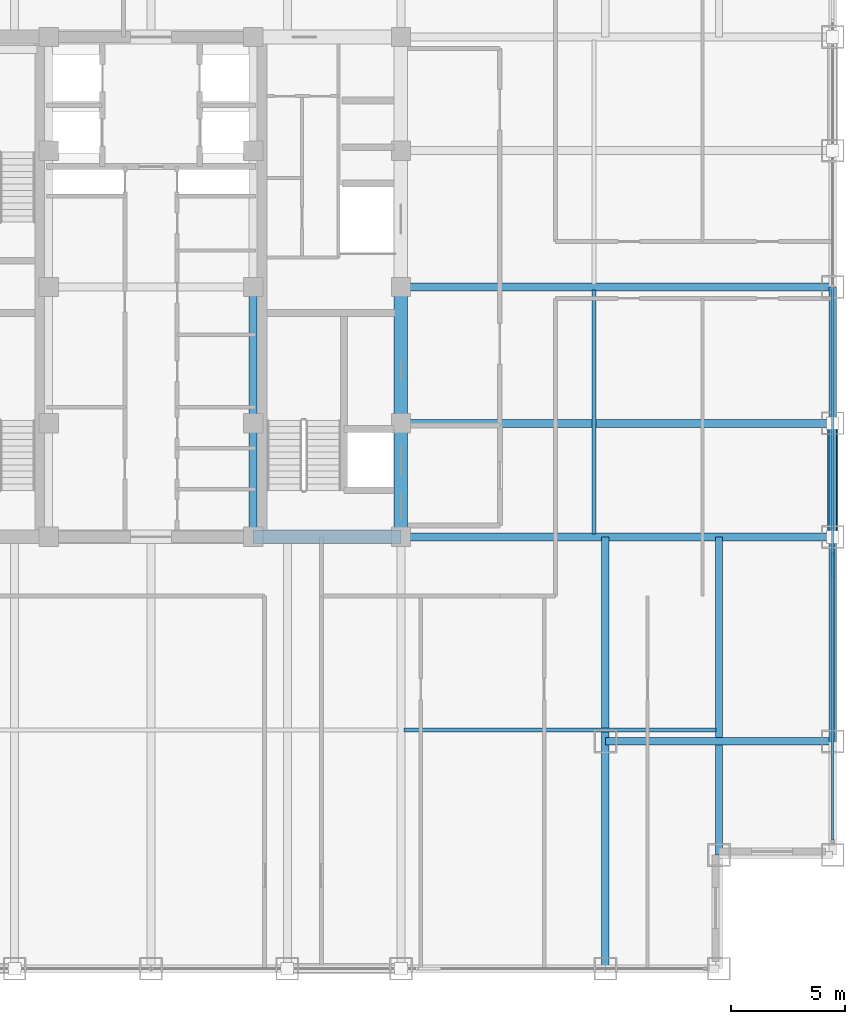
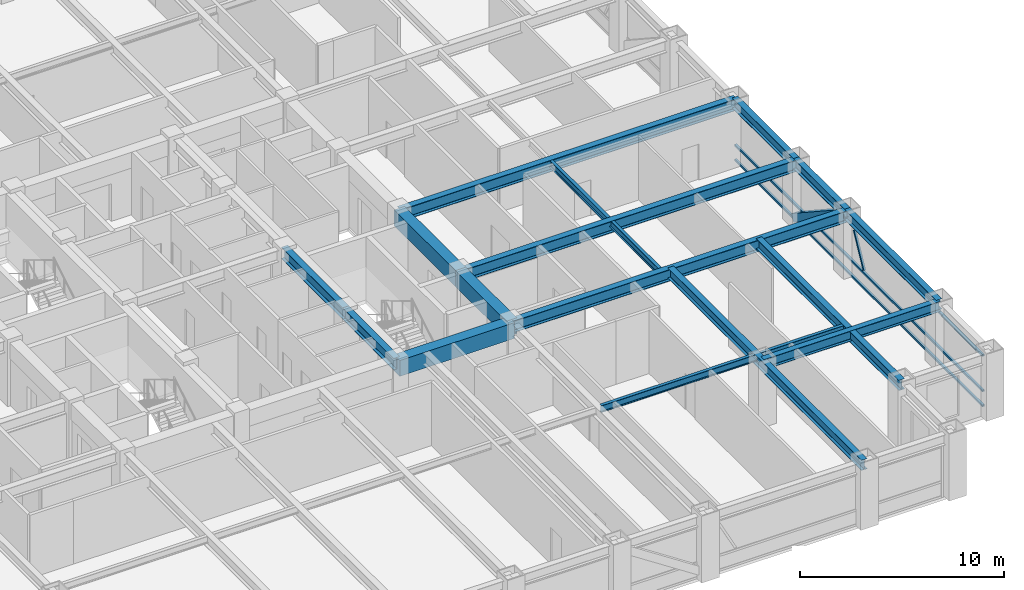
# One storey, part 9 of 25: 16 beams, 5 members, 1 element without a shape of its own.
"""IFC4 building model written with IfcOpenShell, lengths in metres."""

from ifc_helpers import new_model, si_unit, direction, frame, origin, origin_2d, place, context, subcontext, project, spatial, rectangle, hollow_rectangle, i_section, extrude, source, transform, mapped, material, material_profile, profile_set, type_object, element, aggregate, save


model = new_model("IFC4")

# Units and contexts
model_context = context("Model", 3, precision=1e-05, world=origin(), true_north=direction((0.0, 1.0)))
body_context = subcontext(model_context, "Body", "Model", "MODEL_VIEW")
ifc_project = project(units=[si_unit("LENGTHUNIT", "METRE"), si_unit("AREAUNIT", "SQUARE_METRE"), si_unit("VOLUMEUNIT", "CUBIC_METRE"), si_unit("PLANEANGLEUNIT", "RADIAN"), si_unit("MASSUNIT", "GRAM", prefix="KILO")], contexts=[model_context])

# Site, building, storey
site_placement = place(None, origin())
site = spatial("IfcSite", under=ifc_project, at=site_placement, CompositionType="ELEMENT")
building_placement = place(site_placement, origin())
building = spatial("IfcBuilding", under=site, at=building_placement, Name="Khorayat Bourse Tower", CompositionType="ELEMENT")
storey_placement = place(building_placement, frame((0.0, 0.0, 231.10009765625)))
storey = spatial("IfcBuildingStorey", under=building, at=storey_placement, Name="L54", CompositionType="ELEMENT", Elevation=231.10009765625)

# Beams
ifc_material_1 = material(Name="Steel ASTM A992 Grade 50", Category="steel")
ifc_material_profile_1 = material_profile(ifc_material_1, i_section(OverallWidth=0.35498046875, OverallDepth=0.695068359375, WebThickness=0.015380859375, FlangeThickness=0.02490234375, FilletRadius=0.01806640625, at=origin_2d()), Name="W690X217")
ifc_profile_set_1 = profile_set([ifc_material_profile_1], Name="Steel ASTM A992 Grade 50")
beam_type_1 = type_object("IfcBeamType", Name="BM-GIRD-690", PredefinedType="BEAM", material=ifc_profile_set_1)
shared_shape_1 = source(origin(), body_context, "Body", "SweptSolid", [
    extrude(i_section(OverallWidth=0.35498046875, OverallDepth=0.695068359375, WebThickness=0.015380859375, FlangeThickness=0.02490234375, FilletRadius=0.01806640625, at=origin_2d()), origin(), (0.0, 0.0, 1.0), 5.0),
])
beam_1_placement = place(storey_placement, frame((4.5, -11.0, 3.432373046875), z_axis=(0.0, 1.0, 0.0), x_axis=(-1.0, 0.0, 0.0)))
element("IfcBeam", 1, at=beam_1_placement, inside=storey, type_object=beam_type_1, Name="L54 BM-GIRD-690 BM-L54-CRX-09", PredefinedType="BEAM", context=body_context, shape_type="MappedRepresentation", body=[
    mapped(shared_shape_1, transform((0.0, 0.0, 0.0), scale=1.0)),
])
shared_shape_2 = source(origin(), body_context, "Body", "SweptSolid", [
    extrude(i_section(OverallWidth=0.35498046875, OverallDepth=0.695068359375, WebThickness=0.015380859375, FlangeThickness=0.02490234375, FilletRadius=0.01806640625, at=origin_2d()), origin(), (0.0, 0.0, 1.0), 6.0),
])
beam_2_placement = place(storey_placement, frame((4.5, -6.0, 3.432373046875), z_axis=(0.0, 1.0, 0.0), x_axis=(-1.0, 0.0, 0.0)))
element("IfcBeam", 2, at=beam_2_placement, inside=storey, type_object=beam_type_1, Name="L54 BM-GIRD-690 BM-L54-CRX-10", PredefinedType="BEAM", context=body_context, shape_type="MappedRepresentation", body=[
    mapped(shared_shape_2, transform((0.0, 0.0, 0.0), scale=1.0)),
])
ifc_material_profile_2 = material_profile(ifc_material_1, i_section(OverallWidth=0.324951171875, OverallDepth=0.615966796875, WebThickness=0.013916015625, FlangeThickness=0.021484375, FilletRadius=0.01611328125, at=origin_2d()), Name="W610X174")
ifc_profile_set_2 = profile_set([ifc_material_profile_2], Name="Steel ASTM A992 Grade 50")
beam_type_2 = type_object("IfcBeamType", Name="BM-GIRD-610", PredefinedType="BEAM", material=ifc_profile_set_2)
shared_shape_3 = source(origin(), body_context, "Body", "SweptSolid", [
    extrude(i_section(OverallWidth=0.324951171875, OverallDepth=0.615966796875, WebThickness=0.013916015625, FlangeThickness=0.021484375, FilletRadius=0.01611328125, at=origin_2d()), origin(), (0.0, 0.0, 1.0), 19.0),
])
beam_3_placement = place(storey_placement, frame((20.0, -30.0, 3.471923828125), z_axis=(0.0, 1.0, 0.0), x_axis=(-1.0, 0.0, 0.0)))
element("IfcBeam", 3, at=beam_3_placement, inside=storey, type_object=beam_type_2, Name="L54 BM-GIRD-610 BM-L54-CNRY-086", PredefinedType="BEAM", context=body_context, shape_type="MappedRepresentation", body=[
    mapped(shared_shape_3, transform((0.0, 0.0, 0.0), scale=1.0)),
])
shared_shape_4 = source(origin(), body_context, "Body", "SweptSolid", [
    extrude(i_section(OverallWidth=0.324951171875, OverallDepth=0.615966796875, WebThickness=0.013916015625, FlangeThickness=0.021484375, FilletRadius=0.01611328125, at=origin_2d()), origin(), (0.0, 0.0, 1.0), 10.0),
])
beam_4_placement = place(storey_placement, frame((20.0, -20.0, 3.471923828125), z_axis=(1.0, 0.0, 0.0), x_axis=(0.0, 1.0, 0.0)))
element("IfcBeam", 4, at=beam_4_placement, inside=storey, type_object=beam_type_2, Name="L54 BM-GIRD-610 BM-L54-CNRX-092", PredefinedType="BEAM", context=body_context, shape_type="MappedRepresentation", body=[
    mapped(shared_shape_4, transform((0.0, 0.0, 0.0), scale=1.0)),
])
ifc_material_profile_3 = material_profile(ifc_material_1, i_section(OverallWidth=0.180908203125, OverallDepth=0.4169921875, WebThickness=0.010986328125, FlangeThickness=0.018310546875, FilletRadius=0.011962890625, at=origin_2d()), Name="W410X85")
ifc_profile_set_3 = profile_set([ifc_material_profile_3], Name="Steel ASTM A992 Grade 50")
beam_type_3 = type_object("IfcBeamType", Name="BM-JOIST-410", PredefinedType="JOIST", material=ifc_profile_set_3)
shared_shape_5 = source(origin(), body_context, "Body", "SweptSolid", [
    extrude(i_section(OverallWidth=0.180908203125, OverallDepth=0.4169921875, WebThickness=0.010986328125, FlangeThickness=0.018310546875, FilletRadius=0.011962890625, at=origin_2d()), origin(), (0.0, 0.0, 1.0), 10.740234375),
])
beam_5_placement = place(storey_placement, frame((19.5, -10.8701171875, 3.5712890625), z_axis=(0.0, 1.0, 0.0), x_axis=(-1.0, 0.0, 0.0)))
element("IfcBeam", 5, at=beam_5_placement, inside=storey, type_object=beam_type_3, Name="L54 BM-JOIST-410 BM-L54-JSTY-104", PredefinedType="JOIST", context=body_context, shape_type="MappedRepresentation", body=[
    mapped(shared_shape_5, transform((0.0, 0.0, 0.0), scale=1.0)),
])
ifc_material_profile_4 = material_profile(ifc_material_1, i_section(OverallWidth=0.324951171875, OverallDepth=0.615966796875, WebThickness=0.013916015625, FlangeThickness=0.021484375, FilletRadius=0.01611328125, at=origin_2d()), Name="W610X174")
ifc_profile_set_4 = profile_set([ifc_material_profile_4], Name="Steel ASTM A992 Grade 50")
beam_type_4 = type_object("IfcBeamType", Name="BM-SPAN-610", PredefinedType="SPANDREL", material=ifc_profile_set_4)
shared_shape_6 = source(origin(), body_context, "Body", "SweptSolid", [
    extrude(i_section(OverallWidth=0.324951171875, OverallDepth=0.615966796875, WebThickness=0.013916015625, FlangeThickness=0.021484375, FilletRadius=0.01611328125, at=origin_2d()), origin(), (0.0, 0.0, 1.0), 9.0),
])
beam_6_placement = place(storey_placement, frame((30.0, -20.0, 3.471923828125), z_axis=(0.0, 1.0, 0.0), x_axis=(-1.0, 0.0, 0.0)))
element("IfcBeam", 6, at=beam_6_placement, inside=storey, type_object=beam_type_4, Name="L54 BM-SPAN-610 BM-L54-SPN-035", PredefinedType="SPANDREL", context=body_context, shape_type="MappedRepresentation", body=[
    mapped(shared_shape_6, transform((0.0, 0.0, 0.0), scale=1.0)),
])
shared_shape_7 = source(origin(), body_context, "Body", "SweptSolid", [
    extrude(i_section(OverallWidth=0.324951171875, OverallDepth=0.615966796875, WebThickness=0.013916015625, FlangeThickness=0.021484375, FilletRadius=0.01611328125, at=origin_2d()), origin(), (0.0, 0.0, 1.0), 5.0),
])
beam_7_placement = place(storey_placement, frame((30.0, -11.0, 3.471923828125), z_axis=(0.0, 1.0, 0.0), x_axis=(-1.0, 0.0, 0.0)))
element("IfcBeam", 7, at=beam_7_placement, inside=storey, type_object=beam_type_4, Name="L54 BM-SPAN-610 BM-L54-SPN-036", PredefinedType="SPANDREL", context=body_context, shape_type="MappedRepresentation", body=[
    mapped(shared_shape_7, transform((0.0, 0.0, 0.0), scale=1.0)),
])
shared_shape_8 = source(origin(), body_context, "Body", "SweptSolid", [
    extrude(i_section(OverallWidth=0.324951171875, OverallDepth=0.615966796875, WebThickness=0.013916015625, FlangeThickness=0.021484375, FilletRadius=0.01611328125, at=origin_2d()), origin(), (0.0, 0.0, 1.0), 6.0),
])
beam_8_placement = place(storey_placement, frame((30.0, -6.0, 3.471923828125), z_axis=(0.0, 1.0, 0.0), x_axis=(-1.0, 0.0, 0.0)))
element("IfcBeam", 8, at=beam_8_placement, inside=storey, type_object=beam_type_4, Name="L54 BM-SPAN-610 BM-L54-SPN-037", PredefinedType="SPANDREL", context=body_context, shape_type="MappedRepresentation", body=[
    mapped(shared_shape_8, transform((0.0, 0.0, 0.0), scale=1.0)),
])
ifc_material_2 = material(Name="Concrete C60/75", Category="concrete")
ifc_material_profile_5 = material_profile(ifc_material_2, rectangle(XDim=0.60009765625, YDim=0.949951171875, at=origin_2d()), Name="RC 600x950")
ifc_profile_set_5 = profile_set([ifc_material_profile_5], Name="Concrete C60/75")
beam_type_5 = type_object("IfcBeamType", Name="BM-COUP-950", PredefinedType="BEAM", material=ifc_profile_set_5)
shared_shape_9 = source(origin(), body_context, "Body", "SweptSolid", [
    extrude(rectangle(XDim=0.60009765625, YDim=0.949951171875, at=origin_2d()), origin(), (0.0, 0.0, 1.0), 5.0),
])
beam_9_placement = place(storey_placement, frame((11.0, -11.0, 3.304931640625), z_axis=(0.0, 1.0, 0.0), x_axis=(-1.0, 0.0, 0.0)))
element("IfcBeam", 9, at=beam_9_placement, inside=storey, type_object=beam_type_5, Name="L54 BM-COUP-950 BM-L54-CRX-13", PredefinedType="BEAM", context=body_context, shape_type="MappedRepresentation", body=[
    mapped(shared_shape_9, transform((0.0, 0.0, 0.0), scale=1.0)),
])
shared_shape_10 = source(origin(), body_context, "Body", "SweptSolid", [
    extrude(rectangle(XDim=0.60009765625, YDim=0.949951171875, at=origin_2d()), origin(), (0.0, 0.0, 1.0), 6.0),
])
beam_10_placement = place(storey_placement, frame((11.0, -6.0, 3.304931640625), z_axis=(0.0, 1.0, 0.0), x_axis=(-1.0, 0.0, 0.0)))
element("IfcBeam", 10, at=beam_10_placement, inside=storey, type_object=beam_type_5, Name="L54 BM-COUP-950 BM-L54-CRX-14", PredefinedType="BEAM", context=body_context, shape_type="MappedRepresentation", body=[
    mapped(shared_shape_10, transform((0.0, 0.0, 0.0), scale=1.0)),
])
shared_shape_11 = source(origin(), body_context, "Body", "SweptSolid", [
    extrude(rectangle(XDim=0.60009765625, YDim=0.949951171875, at=origin_2d()), origin(), (0.0, 0.0, 1.0), 6.5),
])
beam_11_placement = place(storey_placement, frame((4.5, -11.0, 3.304931640625), z_axis=(1.0, 0.0, 0.0), x_axis=(0.0, 1.0, 0.0)))
element("IfcBeam", 11, at=beam_11_placement, inside=storey, type_object=beam_type_5, Name="L54 BM-COUP-950 BM-L54-CRY-19", PredefinedType="BEAM", context=body_context, shape_type="MappedRepresentation", body=[
    mapped(shared_shape_11, transform((0.0, 0.0, 0.0), scale=1.0)),
])
shared_shape_12 = source(origin(), body_context, "Body", "SweptSolid", [
    extrude(i_section(OverallWidth=0.35498046875, OverallDepth=0.695068359375, WebThickness=0.015380859375, FlangeThickness=0.02490234375, FilletRadius=0.01806640625, at=origin_2d()), origin(), (0.0, 0.0, 1.0), 19.0),
])
for number, where, z_axis, x_axis, name in (
    (12, (11.0, -11.0, 3.432373046875), (1.0, 0.0, 0.0), (0.0, 1.0, 0.0), "L54 BM-GIRD-690 BM-L54-RADX-074"),
    (13, (11.0, -6.0, 3.432373046875), (1.0, 0.0, 0.0), (0.0, 1.0, 0.0), "L54 BM-GIRD-690 BM-L54-RADX-076"),
    (14, (11.0, 0.0, 3.432373046875), (1.0, 0.0, 0.0), (0.0, 1.0, 0.0), "L54 BM-GIRD-690 BM-L54-RADX-078"),
):
    element("IfcBeam", number, at=place(storey_placement, frame(where, z_axis=z_axis, x_axis=x_axis)), inside=storey, type_object=beam_type_1, Name=name, PredefinedType="BEAM", context=body_context, shape_type="MappedRepresentation", body=[
        mapped(shared_shape_12, transform((0.0, 0.0, 0.0), scale=1.0)),
    ])
shared_shape_13 = source(origin(), body_context, "Body", "SweptSolid", [
    extrude(i_section(OverallWidth=0.324951171875, OverallDepth=0.615966796875, WebThickness=0.013916015625, FlangeThickness=0.021484375, FilletRadius=0.01611328125, at=origin_2d()), origin(), (0.0, 0.0, 1.0), 14.0),
])
beam_12_placement = place(storey_placement, frame((25.0, -25.0, 3.471923828125), z_axis=(0.0, 1.0, 0.0), x_axis=(-1.0, 0.0, 0.0)))
element("IfcBeam", 15, at=beam_12_placement, inside=storey, type_object=beam_type_2, Name="L54 BM-GIRD-610 BM-L54-CNRY-090", PredefinedType="BEAM", context=body_context, shape_type="MappedRepresentation", body=[
    mapped(shared_shape_13, transform((0.0, 0.0, 0.0), scale=1.0)),
])
shared_shape_14 = source(origin(), body_context, "Body", "SweptSolid", [
    extrude(i_section(OverallWidth=0.180908203125, OverallDepth=0.4169921875, WebThickness=0.010986328125, FlangeThickness=0.018310546875, FilletRadius=0.011962890625, at=origin_2d()), origin(), (0.0, 0.0, 1.0), 13.740234375),
])
beam_13_placement = place(storey_placement, frame((11.1298828125, -19.5, 3.5712890625), z_axis=(1.0, 0.0, 0.0), x_axis=(0.0, 1.0, 0.0)))
element("IfcBeam", 16, at=beam_13_placement, inside=storey, type_object=beam_type_3, Name="L54 BM-JOIST-410 BM-L54-JSTX-098", PredefinedType="JOIST", context=body_context, shape_type="MappedRepresentation", body=[
    mapped(shared_shape_14, transform((0.0, 0.0, 0.0), scale=1.0)),
])

# Member
ifc_material_3 = material(Name="Steel EN 10025-4 S460M", Category="steel")
ifc_material_profile_6 = material_profile(ifc_material_3, hollow_rectangle(XDim=0.449951171875, YDim=0.449951171875, WallThickness=0.02490234375, at=origin_2d()), Name="HSS 450x450x25")
ifc_profile_set_6 = profile_set([ifc_material_profile_6], Name="Steel EN 10025-4 S460M")
member_type_1 = type_object("IfcMemberType", Name="MBR-TUBE-450", PredefinedType="BRACE", material=ifc_profile_set_6)
shared_shape_15 = source(origin(), body_context, "Body", "SweptSolid", [
    extrude(hollow_rectangle(XDim=0.449951171875, YDim=0.449951171875, WallThickness=0.02490234375, at=origin_2d()), origin(), (0.0, 0.0, 1.0), 5.979736328125),
])
member_1_placement = place(storey_placement, frame((30.0, -11.0, 3.52978515625), z_axis=(0.0, 0.836160261256, -0.548485202623), x_axis=(-1.0, 0.0, 0.0)))
element("IfcMember", 17, at=member_1_placement, inside=storey, type_object=member_type_1, Name="L54 Perimeter Tube Brace 07", PredefinedType="BRACE", context=body_context, shape_type="MappedRepresentation", body=[
    mapped(shared_shape_15, transform((0.0, 0.0, 0.0), scale=1.0)),
])

# Curtain wall, members
ifc_material_4 = material(Name="Aluminium EN AW-6063 T6", Category="aluminium")
curtain_wall_type = type_object("IfcCurtainWallType", Name="CW-SYS-03", PredefinedType="NOTDEFINED", material=ifc_material_4)
curtain_wall_placement = place(storey_placement, origin())
curtain_wall = element("IfcCurtainWall", 18, at=curtain_wall_placement, inside=storey, type_object=curtain_wall_type, Name="L54 Curtain Wall CW-L54-E1", PredefinedType="NOTDEFINED")
ifc_material_profile_7 = material_profile(ifc_material_4, hollow_rectangle(XDim=0.1201171875, YDim=0.1201171875, WallThickness=0.0048828125, at=origin_2d()), Name="ALU 120x120x5")
ifc_profile_set_7 = profile_set([ifc_material_profile_7], Name="Aluminium EN AW-6063 T6")
member_type_2 = type_object("IfcMemberType", Name="CWM-DIAG-120", PredefinedType="MULLION", material=ifc_profile_set_7)
shared_shape_16 = source(origin(), body_context, "Body", "SweptSolid", [
    extrude(hollow_rectangle(XDim=0.1201171875, YDim=0.1201171875, WallThickness=0.0048828125, at=origin_2d()), origin(), (0.0, 0.0, 1.0), 2.079345703125),
])
member_2_placement = place(storey_placement, frame((30.0, -12.67919921875, 1.08984375), z_axis=(0.0, 0.465760949701, 0.884910581773), x_axis=(-1.0, 0.0, 0.0)))
member_2 = element("IfcMember", 19, at=member_2_placement, type_object=member_type_2, Name="CW-L54-E1 Faceted Diagonal Mullion 1", PredefinedType="MULLION", context=body_context, shape_type="MappedRepresentation", body=[
    mapped(shared_shape_16, transform((0.0, 0.0, 0.0), scale=1.0)),
])
ifc_material_profile_8 = material_profile(ifc_material_4, hollow_rectangle(XDim=0.1201171875, YDim=0.1201171875, WallThickness=0.0048828125, at=origin_2d()), Name="ALU 120x120x5")
ifc_profile_set_8 = profile_set([ifc_material_profile_8], Name="Aluminium EN AW-6063 T6")
member_type_3 = type_object("IfcMemberType", Name="CWT-HORZ-120", PredefinedType="USERDEFINED", material=ifc_profile_set_8)
shared_shape_17 = source(origin(), body_context, "Body", "SweptSolid", [
    extrude(hollow_rectangle(XDim=0.1201171875, YDim=0.1201171875, WallThickness=0.0048828125, at=origin_2d()), origin(), (0.0, 0.0, 1.0), 24.27001953125),
])
member_3_placement = place(storey_placement, frame((30.0, -24.330078125, 0.059814453125), z_axis=(0.0, 1.0, 0.0), x_axis=(-1.0, 0.0, 0.0)))
member_3 = element("IfcMember", 20, at=member_3_placement, type_object=member_type_3, Name="CW-L54-E1 Horizontal Transom 1-1", ObjectType="TRANSOM", PredefinedType="USERDEFINED", context=body_context, shape_type="MappedRepresentation", body=[
    mapped(shared_shape_17, transform((0.0, 0.0, 0.0), scale=1.0)),
])
member_4_placement = place(storey_placement, frame((30.0, -24.330078125, 0.949951171875), z_axis=(0.0, 1.0, 0.0), x_axis=(-1.0, 0.0, 0.0)))
member_4 = element("IfcMember", 21, at=member_4_placement, type_object=member_type_3, Name="CW-L54-E1 Horizontal Transom 1-2", ObjectType="TRANSOM", PredefinedType="USERDEFINED", context=body_context, shape_type="MappedRepresentation", body=[
    mapped(shared_shape_17, transform((0.0, 0.0, 0.0), scale=1.0)),
])
member_5_placement = place(storey_placement, frame((30.0, -24.330078125, 3.06982421875), z_axis=(0.0, 1.0, 0.0), x_axis=(-1.0, 0.0, 0.0)))
member_5 = element("IfcMember", 22, at=member_5_placement, type_object=member_type_3, Name="CW-L54-E1 Horizontal Transom 1-3", ObjectType="TRANSOM", PredefinedType="USERDEFINED", context=body_context, shape_type="MappedRepresentation", body=[
    mapped(shared_shape_17, transform((0.0, 0.0, 0.0), scale=1.0)),
])
aggregate(curtain_wall, [member_3, member_4, member_5, member_2])

save(model, "model.ifc")
